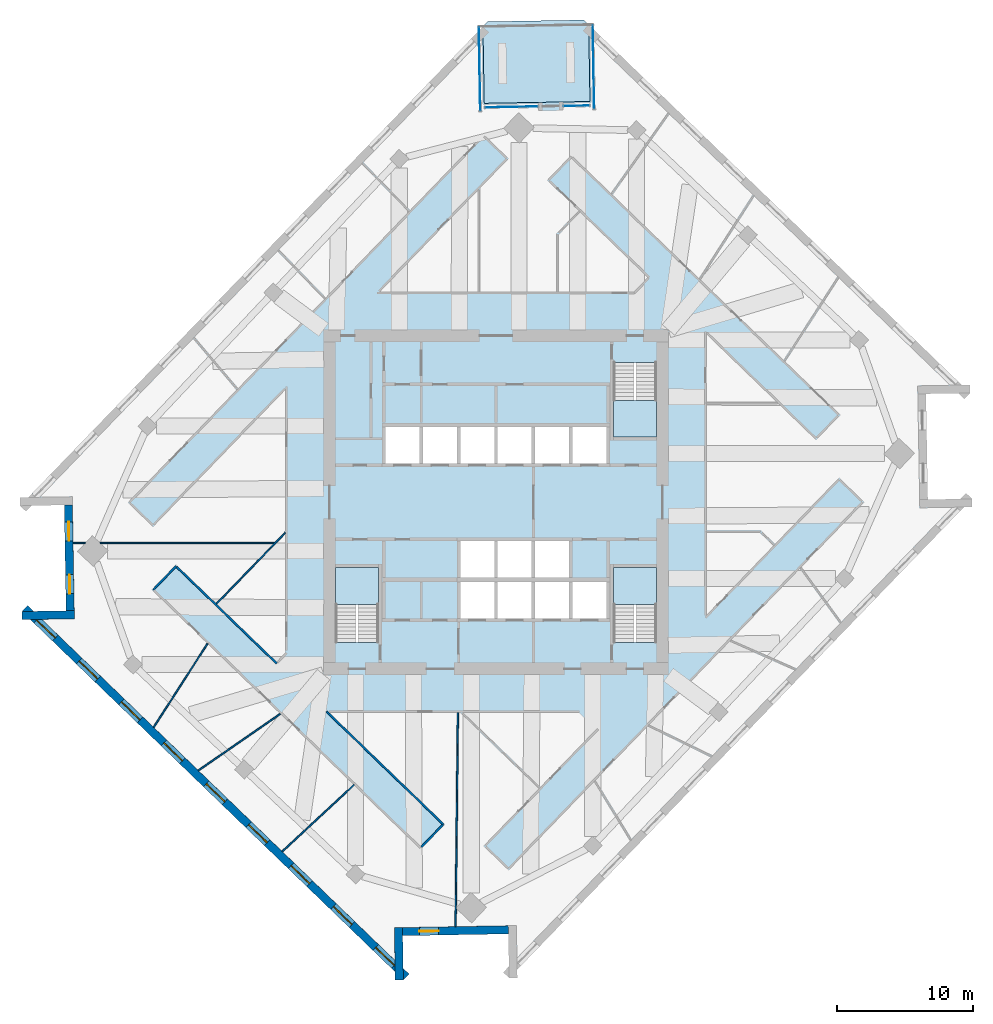
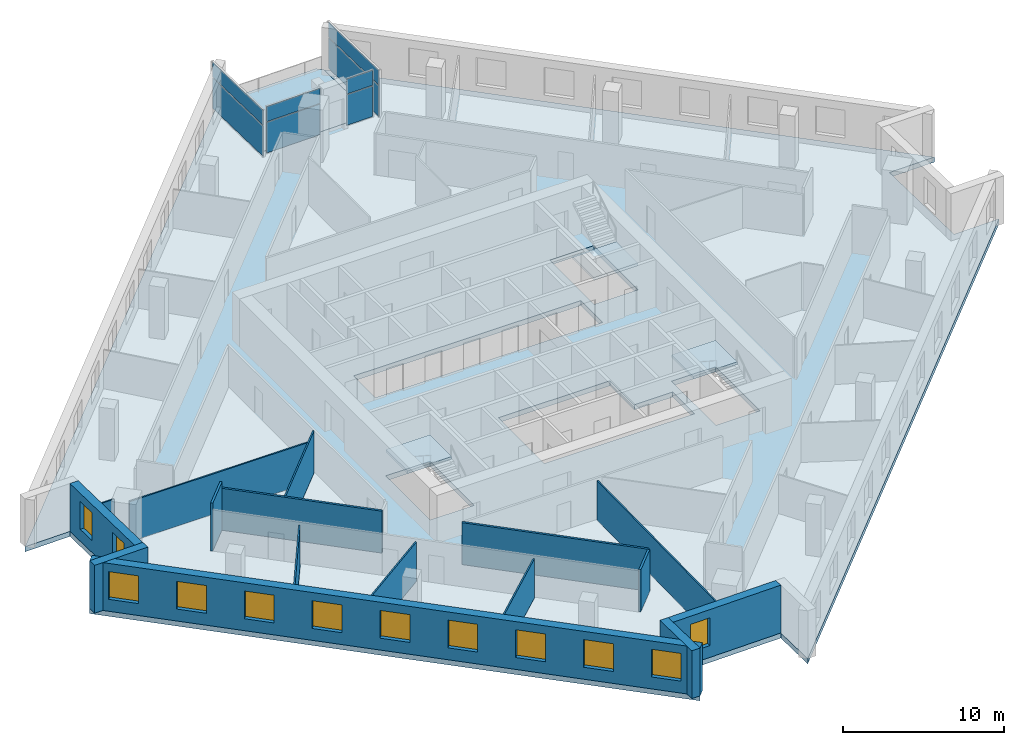
# One storey, part 5 of 13: 16 walls, 12 windows, 8 plates, 5 slabs, 12 openings, 7 elements without a shape of their own.
"""IFC4 building model written with IfcOpenShell, lengths in metres."""

from ifc_helpers import new_model, si_unit, direction, frame, frame_2d, origin, origin_2d, place, context, subcontext, project, spatial, polyline, rectangle, outline, extrude, material, layer, layer_set, type_object, element, fill, aggregate, save


model = new_model("IFC4")

# Units and contexts
model_context = context("Model", 3, precision=1e-05, world=origin(), true_north=direction((0.0, 1.0)))
body_context = subcontext(model_context, "Body", "Model", "MODEL_VIEW")
ifc_project = project(units=[si_unit("LENGTHUNIT", "METRE"), si_unit("AREAUNIT", "SQUARE_METRE"), si_unit("VOLUMEUNIT", "CUBIC_METRE"), si_unit("PLANEANGLEUNIT", "RADIAN"), si_unit("MASSUNIT", "GRAM", prefix="KILO")], contexts=[model_context])

# Site, building, storey
site_placement = place(None, origin())
site = spatial("IfcSite", under=ifc_project, at=site_placement, CompositionType="ELEMENT")
building_placement = place(site_placement, origin())
building = spatial("IfcBuilding", under=site, at=building_placement, Name="Dilmun Exchange Tower", CompositionType="ELEMENT")
storey_placement = place(building_placement, frame((0.0, 0.0, 205.300048828125)))
storey = spatial("IfcBuildingStorey", under=building, at=storey_placement, Name="L48", CompositionType="ELEMENT", Elevation=205.300048828125)

# Stair, slab
ifc_material_1 = material(Name="Concrete C40/50", Category="concrete")
stair_type = type_object("IfcStairType", Name="Exit stair 1500 half-turn", PredefinedType="HALF_TURN_STAIR", material=ifc_material_1)
stair_1_placement = place(storey_placement, origin())
stair_1 = element("IfcStair", 1, at=stair_1_placement, inside=storey, type_object=stair_type, Name="L48 Protected exit stair ST1", PredefinedType="HALF_TURN_STAIR")
ifc_layer_1 = layer(ifc_material_1, 0.199951171875)
ifc_layer_set_1 = layer_set([ifc_layer_1], Name="Concrete C40/50")
slab_type_1 = type_object("IfcSlabType", Name="Exit stair landing 200", PredefinedType="LANDING", material=ifc_layer_set_1)
slab_1_placement = place(storey_placement, frame((0.0, 0.0, 1.800048828125)))
slab_1 = element("IfcSlab", 2, at=slab_1_placement, type_object=slab_type_1, Name="ST1 landing 1", PredefinedType="LANDING", context=body_context, shape_type="SweptSolid", body=[
    extrude(outline(polyline([(8.64990234375, 7.5), (8.64990234375, 4.800048828125), (11.800048828125, 4.800048828125), (11.800048828125, 7.5), (8.64990234375, 7.5)])), origin(), (0.0, 0.0, 1.0), 0.199951171875),
])
aggregate(stair_1, [slab_1])

stair_2_placement = place(storey_placement, origin())
stair_2 = element("IfcStair", 3, at=stair_2_placement, inside=storey, type_object=stair_type, Name="L48 Protected exit stair ST2", PredefinedType="HALF_TURN_STAIR")
slab_2_placement = place(storey_placement, frame((0.0, 0.0, 1.800048828125)))
slab_2 = element("IfcSlab", 4, at=slab_2_placement, type_object=slab_type_1, Name="ST2 landing 1", PredefinedType="LANDING", context=body_context, shape_type="SweptSolid", body=[
    extrude(outline(polyline([(-8.64990234375, -7.5), (-8.64990234375, -4.800048828125), (-11.800048828125, -4.800048828125), (-11.800048828125, -7.5), (-8.64990234375, -7.5)])), origin(), (0.0, 0.0, 1.0), 0.199951171875),
])
aggregate(stair_2, [slab_2])

stair_3_placement = place(storey_placement, origin())
stair_3 = element("IfcStair", 5, at=stair_3_placement, inside=storey, type_object=stair_type, Name="L48 Protected exit stair ST3", PredefinedType="HALF_TURN_STAIR")
slab_3_placement = place(storey_placement, frame((0.0, 0.0, 1.800048828125)))
slab_3 = element("IfcSlab", 6, at=slab_3_placement, type_object=slab_type_1, Name="ST3 landing 1", PredefinedType="LANDING", context=body_context, shape_type="SweptSolid", body=[
    extrude(outline(polyline([(11.800048828125, -7.5), (11.800048828125, -4.800048828125), (8.64990234375, -4.800048828125), (8.64990234375, -7.5), (11.800048828125, -7.5)])), origin(), (0.0, 0.0, 1.0), 0.199951171875),
])
aggregate(stair_3, [slab_3])

# Curtain wall, plates
ifc_material_2 = material(Name="Anodised aluminium and clear glass", Category="aluminium")
curtain_wall_type = type_object("IfcCurtainWallType", Name="Garden corner glazing", PredefinedType="NOTDEFINED", material=ifc_material_2)
curtain_wall_1_placement = place(storey_placement, origin())
curtain_wall_1 = element("IfcCurtainWall", 7, at=curtain_wall_1_placement, inside=storey, type_object=curtain_wall_type, Name="Garden corner glazing run GC1.1", PredefinedType="NOTDEFINED")
ifc_material_3 = material(Name="Clear glass", Category="glass")
ifc_layer_2 = layer(ifc_material_3, 0.028076171875)
ifc_layer_set_2 = layer_set([ifc_layer_2], Name="Clear glass")
plate_type = type_object("IfcPlateType", Name="Garden corner glazing glass panel 28", PredefinedType="CURTAIN_PANEL", material=ifc_layer_set_2)
plate_1_placement = place(storey_placement, frame((7.1669921875, 32.008544921875, 0.059814453125), z_axis=(0.0, 0.0, 1.0), x_axis=(0.017449908501, -0.999847738755, 0.0)))
plate_1 = element("IfcPlate", 8, at=plate_1_placement, type_object=plate_type, Name="GC1.1 panel 1.1", PredefinedType="CURTAIN_PANEL", context=body_context, shape_type="SweptSolid", body=[
    extrude(rectangle(XDim=6.12646484375, YDim=0.028076171875, at=origin_2d()), origin(), (0.0, 0.0, 1.0), 2.31005859375),
])
plate_2_placement = place(storey_placement, frame((7.1669921875, 32.008544921875, 2.429931640625), z_axis=(0.0, 0.0, 1.0), x_axis=(0.017449908501, -0.999847738755, 0.0)))
plate_2 = element("IfcPlate", 9, at=plate_2_placement, type_object=plate_type, Name="GC1.1 panel 1.2", PredefinedType="CURTAIN_PANEL", context=body_context, shape_type="SweptSolid", body=[
    extrude(rectangle(XDim=6.12646484375, YDim=0.028076171875, at=origin_2d()), origin(), (0.0, 0.0, 1.0), 1.1298828125),
])
aggregate(curtain_wall_1, [plate_1, plate_2])

curtain_wall_2_placement = place(storey_placement, origin())
curtain_wall_2 = element("IfcCurtainWall", 10, at=curtain_wall_2_placement, inside=storey, type_object=curtain_wall_type, Name="Garden corner glazing run GC2.1", PredefinedType="NOTDEFINED")
plate_3_placement = place(storey_placement, frame((5.922119140625, 29.1630859375, 0.059814453125), z_axis=(0.0, 0.0, 1.0), x_axis=(-0.999847823501, -0.017445052024, 0.0)))
plate_3 = element("IfcPlate", 11, at=plate_3_placement, type_object=plate_type, Name="GC2.1 panel 1.1", PredefinedType="CURTAIN_PANEL", context=body_context, shape_type="SweptSolid", body=[
    extrude(rectangle(XDim=1.869140625, YDim=0.028076171875, at=origin_2d()), origin(), (0.0, 0.0, 1.0), 2.31005859375),
])
plate_4_placement = place(storey_placement, frame((5.922119140625, 29.1630859375, 2.429931640625), z_axis=(0.0, 0.0, 1.0), x_axis=(-0.999847823501, -0.017445052024, 0.0)))
plate_4 = element("IfcPlate", 12, at=plate_4_placement, type_object=plate_type, Name="GC2.1 panel 1.2", PredefinedType="CURTAIN_PANEL", context=body_context, shape_type="SweptSolid", body=[
    extrude(rectangle(XDim=1.869140625, YDim=0.028076171875, at=origin_2d()), origin(), (0.0, 0.0, 1.0), 1.1298828125),
])
aggregate(curtain_wall_2, [plate_3, plate_4])

curtain_wall_3_placement = place(storey_placement, origin())
curtain_wall_3 = element("IfcCurtainWall", 13, at=curtain_wall_3_placement, inside=storey, type_object=curtain_wall_type, Name="Garden corner glazing run GC2.3", PredefinedType="NOTDEFINED")
plate_5_placement = place(storey_placement, frame((1.133544921875, 29.07958984375, 0.059814453125), z_axis=(0.0, 0.0, 1.0), x_axis=(-0.999847342934, -0.017472573608, 0.0)))
plate_5 = element("IfcPlate", 14, at=plate_5_placement, type_object=plate_type, Name="GC2.3 panel 1.1", PredefinedType="CURTAIN_PANEL", context=body_context, shape_type="SweptSolid", body=[
    extrude(rectangle(XDim=3.869140625, YDim=0.028076171875, at=origin_2d()), origin(), (0.0, 0.0, 1.0), 2.31005859375),
])
plate_6_placement = place(storey_placement, frame((1.133544921875, 29.07958984375, 2.429931640625), z_axis=(0.0, 0.0, 1.0), x_axis=(-0.999847342934, -0.017472573608, 0.0)))
plate_6 = element("IfcPlate", 15, at=plate_6_placement, type_object=plate_type, Name="GC2.3 panel 1.2", PredefinedType="CURTAIN_PANEL", context=body_context, shape_type="SweptSolid", body=[
    extrude(rectangle(XDim=3.869140625, YDim=0.028076171875, at=origin_2d()), origin(), (0.0, 0.0, 1.0), 1.1298828125),
])
aggregate(curtain_wall_3, [plate_5, plate_6])

curtain_wall_4_placement = place(storey_placement, origin())
curtain_wall_4 = element("IfcCurtainWall", 16, at=curtain_wall_4_placement, inside=storey, type_object=curtain_wall_type, Name="Garden corner glazing run GC3.1", PredefinedType="NOTDEFINED")
plate_7_placement = place(storey_placement, frame((-1.209716796875, 31.8623046875, 0.059814453125), z_axis=(0.0, 0.0, 1.0), x_axis=(-0.017450187816, 0.99984773388, 0.0)))
plate_7 = element("IfcPlate", 17, at=plate_7_placement, type_object=plate_type, Name="GC3.1 panel 1.1", PredefinedType="CURTAIN_PANEL", context=body_context, shape_type="SweptSolid", body=[
    extrude(rectangle(XDim=6.12646484375, YDim=0.028076171875, at=origin_2d()), origin(), (0.0, 0.0, 1.0), 2.31005859375),
])
plate_8_placement = place(storey_placement, frame((-1.209716796875, 31.8623046875, 2.429931640625), z_axis=(0.0, 0.0, 1.0), x_axis=(-0.017450187816, 0.99984773388, 0.0)))
plate_8 = element("IfcPlate", 18, at=plate_8_placement, type_object=plate_type, Name="GC3.1 panel 1.2", PredefinedType="CURTAIN_PANEL", context=body_context, shape_type="SweptSolid", body=[
    extrude(rectangle(XDim=6.12646484375, YDim=0.028076171875, at=origin_2d()), origin(), (0.0, 0.0, 1.0), 1.1298828125),
])
aggregate(curtain_wall_4, [plate_7, plate_8])

# Slabs
ifc_layer_3 = layer(ifc_material_1, 0.3798828125)
ifc_layer_set_3 = layer_set([ifc_layer_3], Name="Concrete C40/50")
slab_type_2 = type_object("IfcSlabType", Name="RC floor slab 380", PredefinedType="FLOOR", material=ifc_layer_set_3)
slab_4_placement = place(storey_placement, frame((0.0, 0.0, -0.380126953125)))
element("IfcSlab", 19, at=slab_4_placement, inside=storey, type_object=slab_type_2, Name="Floor slab", PredefinedType="FLOOR", context=body_context, shape_type="SweptSolid", body=[
    extrude(outline(polyline([(31.620849609375, 7.977783203125), (31.756591796875, 0.20068359375), (35.002685546875, 0.25732421875), (0.96435546875, -34.990234375), (0.90771484375, -31.744384765625), (-6.869384765625, -31.880126953125), (-6.8125, -35.1259765625), (-34.866943359375, -8.034423828125), (-31.620849609375, -7.977783203125), (-31.756591796875, -0.20068359375), (-35.002685546875, -0.25732421875), (-0.96435546875, 34.990234375), (-0.86572265625, 29.3447265625), (6.9111328125, 29.48046875), (6.8125, 35.1259765625), (34.866943359375, 8.034423828125), (31.620849609375, 7.977783203125)]), holes=[polyline([(-8.64990234375, -4.800048828125), (-11.800048828125, -4.800048828125), (-11.800048828125, -10.294921875), (-8.64990234375, -10.294921875), (-8.64990234375, -4.800048828125)]), polyline([(11.800048828125, -4.800048828125), (8.64990234375, -4.800048828125), (8.64990234375, -10.294921875), (11.800048828125, -10.294921875), (11.800048828125, -4.800048828125)]), polyline([(5.375, -2.85009765625), (-2.625, -2.85009765625), (-2.625, -8.550048828125), (8.125, -8.550048828125), (8.125, -5.85009765625), (5.375, -5.85009765625), (5.375, -2.85009765625)]), polyline([(8.125, 2.85009765625), (8.125, 5.550048828125), (-8.125, 5.550048828125), (-8.125, 2.85009765625), (8.125, 2.85009765625)]), polyline([(8.64990234375, 10.294921875), (8.64990234375, 4.800048828125), (11.800048828125, 4.800048828125), (11.800048828125, 10.294921875), (8.64990234375, 10.294921875)])]), origin(), (0.0, 0.0, 1.0), 0.380126953125),
])
ifc_layer_4 = layer(ifc_material_1, 0.300048828125)
ifc_layer_set_4 = layer_set([ifc_layer_4], Name="Concrete C40/50")
slab_type_3 = type_object("IfcSlabType", Name="RC garden terrace slab 300", PredefinedType="FLOOR", material=ifc_layer_set_4)
slab_5_placement = place(storey_placement, frame((0.0, 0.0, -0.300048828125)))
element("IfcSlab", 20, at=slab_5_placement, inside=storey, type_object=slab_type_3, Name="Garden terrace slab", PredefinedType="FLOOR", context=body_context, shape_type="SweptSolid", body=[
    extrude(outline(polyline([(-0.86572265625, 29.3447265625), (-0.96435546875, 34.990234375), (-0.616943359375, 35.35009765625), (6.452880859375, 35.473388671875), (6.8125, 35.1259765625), (6.9111328125, 29.48046875), (-0.86572265625, 29.3447265625)])), origin(), (0.0, 0.0, 1.0), 0.300048828125),
])

# Walls
ifc_material_4 = material(Name="Corridor wall 150")
ifc_layer_5 = layer(ifc_material_4, 0.14990234375)
ifc_layer_set_5 = layer_set([ifc_layer_5], Name="Corridor wall 150")
wall_type_1 = type_object("IfcWallType", Name="Corridor wall 150", PredefinedType="PARTITIONING", material=ifc_layer_set_5)
wall_1_placement = place(storey_placement, frame((-25.205078125, -6.427001953125, 0.0), z_axis=(0.0, 0.0, 1.0), x_axis=(0.694688923552, 0.719310294305, 0.0)))
element("IfcWall", 21, at=wall_1_placement, inside=storey, type_object=wall_type_1, Name="Corridor wall", PredefinedType="PARTITIONING", context=body_context, shape_type="SweptSolid", body=[
    extrude(rectangle(XDim=2.399658203125, YDim=0.14990234375, at=frame_2d((1.19970703125, 0.0))), origin(), (0.0, 0.0, 1.0), 3.619873046875),
])
wall_2_placement = place(storey_placement, frame((-23.48388671875, -4.753173828125, 0.0), z_axis=(0.0, 0.0, 1.0), x_axis=(0.719330221059, -0.694668289956, 0.0)))
element("IfcWall", 22, at=wall_2_placement, inside=storey, type_object=wall_type_1, Name="Corridor wall", PredefinedType="PARTITIONING", context=body_context, shape_type="SweptSolid", body=[
    extrude(rectangle(XDim=10.21630859375, YDim=0.14990234375, at=frame_2d((5.108154296875, 0.0))), origin(), (0.0, 0.0, 1.0), 3.169921875),
])
wall_3_placement = place(storey_placement, frame((-12.458984375, -15.39990234375, 0.0), z_axis=(0.0, 0.0, 1.0), x_axis=(0.719357740032, -0.694639792883, 0.0)))
element("IfcWall", 23, at=wall_3_placement, inside=storey, type_object=wall_type_1, Name="Corridor wall", PredefinedType="PARTITIONING", context=body_context, shape_type="SweptSolid", body=[
    extrude(rectangle(XDim=11.931396484375, YDim=0.14990234375, at=frame_2d((5.9658203125, 0.0))), origin(), (0.0, 0.0, 1.0), 3.169921875),
])
wall_4_placement = place(storey_placement, frame((-5.490966796875, -25.360107421875, 0.0), z_axis=(0.0, 0.0, 1.0), x_axis=(0.694737811608, 0.719263076435, 0.0)))
element("IfcWall", 24, at=wall_4_placement, inside=storey, type_object=wall_type_1, Name="Corridor wall", PredefinedType="PARTITIONING", context=body_context, shape_type="SweptSolid", body=[
    extrude(rectangle(XDim=2.249755859375, YDim=0.14990234375, at=frame_2d((1.125, 0.0))), origin(), (0.0, 0.0, 1.0), 3.169921875),
])
ifc_material_5 = material(Name="Partition 100")
ifc_layer_6 = layer(ifc_material_5, 0.10009765625)
ifc_layer_set_6 = layer_set([ifc_layer_6], Name="Partition 100")
wall_type_2 = type_object("IfcWallType", Name="Partition 100", PredefinedType="PARTITIONING", material=ifc_layer_set_6)
wall_5_placement = place(storey_placement, frame((-31.105712890625, -2.9951171875, 0.0), z_axis=(0.0, 0.0, 1.0), x_axis=(1.0, 0.0, 0.0)))
element("IfcWall", 25, at=wall_5_placement, inside=storey, type_object=wall_type_2, Name="Partition", PredefinedType="PARTITIONING", context=body_context, shape_type="SweptSolid", body=[
    extrude(rectangle(XDim=0.900634765625, YDim=0.10009765625, at=frame_2d((0.4501953125, 0.0))), origin(), (0.0, 0.0, 1.0), 3.619873046875),
])
wall_6_placement = place(storey_placement, frame((-29.115478515625, -2.9951171875, 0.0), z_axis=(0.0, 0.0, 1.0), x_axis=(1.0, 0.0, 0.0)))
element("IfcWall", 26, at=wall_6_placement, inside=storey, type_object=wall_type_2, Name="Partition", PredefinedType="PARTITIONING", context=body_context, shape_type="SweptSolid", body=[
    extrude(rectangle(XDim=12.76171875, YDim=0.10009765625, at=frame_2d((6.380859375, 0.0))), origin(), (0.0, 0.0, 1.0), 3.050048828125),
])
wall_7_placement = place(storey_placement, frame((-25.181884765625, -16.55029296875, 0.0), z_axis=(0.0, 0.0, 1.0), x_axis=(0.541323767844, 0.84081423535, 0.0)))
element("IfcWall", 27, at=wall_7_placement, inside=storey, type_object=wall_type_2, Name="Partition", PredefinedType="PARTITIONING", context=body_context, shape_type="SweptSolid", body=[
    extrude(rectangle(XDim=7.3212890625, YDim=0.10009765625, at=frame_2d((3.66064453125, 0.0))), origin(), (0.0, 0.0, 1.0), 2.969970703125),
])
wall_8_placement = place(storey_placement, frame((-21.894287109375, -19.724853515625, 0.0), z_axis=(0.0, 0.0, 1.0), x_axis=(0.822893560883, 0.568195553887, 0.0)))
element("IfcWall", 28, at=wall_8_placement, inside=storey, type_object=wall_type_2, Name="Partition", PredefinedType="PARTITIONING", context=body_context, shape_type="SweptSolid", body=[
    extrude(rectangle(XDim=7.32421875, YDim=0.10009765625, at=frame_2d((3.662109375, 0.0))), origin(), (0.0, 0.0, 1.0), 2.969970703125),
])
wall_9_placement = place(storey_placement, frame((-20.559814453125, -7.47216796875, 0.0), z_axis=(0.0, 0.0, 1.0), x_axis=(0.694721601458, 0.719278733502, 0.0)))
element("IfcWall", 29, at=wall_9_placement, inside=storey, type_object=wall_type_2, Name="Partition", PredefinedType="PARTITIONING", context=body_context, shape_type="SweptSolid", body=[
    extrude(rectangle(XDim=7.267333984375, YDim=0.10009765625, at=frame_2d((3.6337890625, 0.0))), origin(), (0.0, 0.0, 1.0), 3.169921875),
])
wall_10_placement = place(storey_placement, frame((-15.722412109375, -25.68505859375, 0.0), z_axis=(0.0, 0.0, 1.0), x_axis=(0.732967408974, 0.680263755747, 0.0)))
element("IfcWall", 30, at=wall_10_placement, inside=storey, type_object=wall_type_2, Name="Partition", PredefinedType="PARTITIONING", context=body_context, shape_type="SweptSolid", body=[
    extrude(rectangle(XDim=7.19873046875, YDim=0.10009765625, at=frame_2d((3.599365234375, 0.0))), origin(), (0.0, 0.0, 1.0), 2.969970703125),
])
wall_11_placement = place(storey_placement, frame((-2.974609375, -31.2099609375, 0.0), z_axis=(0.0, 0.0, 1.0), x_axis=(0.010798774474, 0.999941691535, 0.0)))
element("IfcWall", 31, at=wall_11_placement, inside=storey, type_object=wall_type_2, Name="Partition", PredefinedType="PARTITIONING", context=body_context, shape_type="SweptSolid", body=[
    extrude(rectangle(XDim=15.7353515625, YDim=0.10009765625, at=frame_2d((7.86767578125, 0.0))), origin(), (0.0, 0.0, 1.0), 2.969970703125),
])

# Wall, openings, windows
ifc_material_6 = material(Name="Precast concrete C50/60", Category="concrete")
ifc_layer_7 = layer(ifc_material_6, 0.60009765625)
ifc_layer_set_7 = layer_set([ifc_layer_7], Name="Precast concrete C50/60")
wall_type_3 = type_object("IfcWallType", Name="Precast stone-clad wall 600", PredefinedType="STANDARD", material=ifc_layer_set_7)
wall_12_placement = place(storey_placement, frame((-31.456787109375, -0.195556640625, 0.0), z_axis=(0.0, 0.0, 1.0), x_axis=(0.017451978485, -0.999847702626, 0.0)))
wall_12 = element("IfcWall", 32, at=wall_12_placement, inside=storey, type_object=wall_type_3, Name="Facade wall L48-05", PredefinedType="STANDARD", context=body_context, shape_type="SweptSolid", body=[
    extrude(rectangle(XDim=7.778076171875, YDim=0.60009765625, at=frame_2d((3.88916015625, 0.0))), origin(), (0.0, 0.0, 1.0), 3.619873046875),
])
opening_1_placement = place(wall_12_placement, frame((1.244384765625, 0.0, 0.89990234375)))
opening_1 = element("IfcOpeningElement", 33, at=opening_1_placement, cuts=wall_12, Name="Opening W140-210", PredefinedType="OPENING", context=body_context, shape_type="SweptSolid", body=[
    extrude(rectangle(XDim=1.39990234375, YDim=2.10009765625, at=frame_2d((0.699951171875, 1.050048828125))), frame((0.0, 0.31005859375, 0.0), z_axis=(0.0, -1.0, 0.0), x_axis=(1.0, 0.0, 0.0)), (0.0, 0.0, 1.0), 0.6201171875),
])
opening_2_placement = place(wall_12_placement, frame((5.133544921875, 0.0, 0.89990234375)))
opening_2 = element("IfcOpeningElement", 34, at=opening_2_placement, cuts=wall_12, Name="Opening W140-210", PredefinedType="OPENING", context=body_context, shape_type="SweptSolid", body=[
    extrude(rectangle(XDim=1.39990234375, YDim=2.10009765625, at=frame_2d((0.699951171875, 1.050048828125))), frame((0.0, 0.31005859375, 0.0), z_axis=(0.0, -1.0, 0.0), x_axis=(1.0, 0.0, 0.0)), (0.0, 0.0, 1.0), 0.6201171875),
])
ifc_material_7 = material(Name="Clear low-emissivity glass in aluminium frame", Category="aluminium")
window_type_1 = type_object("IfcWindowType", Name="Punched window 1400 x 2100", PartitioningType="DOUBLE_PANEL_VERTICAL", PredefinedType="WINDOW", material=ifc_material_7)
window_1_placement = place(opening_1_placement, origin())
window_1 = element("IfcWindow", 35, at=window_1_placement, inside=storey, type_object=window_type_1, Name="Window 6.1", OverallHeight=2.10009765625, OverallWidth=1.39990234375, PartitioningType="SINGLE_PANEL", PredefinedType="WINDOW", context=body_context, shape_type="SweptSolid", body=[
    extrude(rectangle(XDim=1.39990234375, YDim=2.10009765625, at=frame_2d((0.699951171875, 1.050048828125))), frame((0.0, 0.030029296875, 0.0), z_axis=(0.0, -1.0, 0.0), x_axis=(1.0, 0.0, 0.0)), (0.0, 0.0, 1.0), 0.06005859375),
])
fill(opening_1, window_1)
window_2_placement = place(opening_2_placement, origin())
window_2 = element("IfcWindow", 36, at=window_2_placement, inside=storey, type_object=window_type_1, Name="Window 6.2", OverallHeight=2.10009765625, OverallWidth=1.39990234375, PartitioningType="SINGLE_PANEL", PredefinedType="WINDOW", context=body_context, shape_type="SweptSolid", body=[
    extrude(rectangle(XDim=1.39990234375, YDim=2.10009765625, at=frame_2d((0.699951171875, 1.050048828125))), frame((0.0, 0.030029296875, 0.0), z_axis=(0.0, -1.0, 0.0), x_axis=(1.0, 0.0, 0.0)), (0.0, 0.0, 1.0), 0.06005859375),
])
fill(opening_2, window_2)

# Wall
wall_13_placement = place(storey_placement, frame((-31.015869140625, -8.26708984375, 0.0), z_axis=(0.0, 0.0, 1.0), x_axis=(-0.999847642189, -0.017455440681, 0.0)))
element("IfcWall", 37, at=wall_13_placement, inside=storey, type_object=wall_type_3, Name="Facade wall L48-06", PredefinedType="STANDARD", context=body_context, shape_type="SweptSolid", body=[
    extrude(rectangle(XDim=3.84619140625, YDim=0.60009765625, at=frame_2d((1.923095703125, 0.0))), origin(), (0.0, 0.0, 1.0), 3.619873046875),
])

# Wall, openings, windows
wall_14_placement = place(storey_placement, frame((-34.658447265625, -7.818603515625, 0.0), z_axis=(0.0, 0.0, 1.0), x_axis=(0.719340729741, -0.694657408034, 0.0)))
wall_14 = element("IfcWall", 38, at=wall_14_placement, inside=storey, type_object=wall_type_3, Name="Facade wall L48-07", PredefinedType="STANDARD", context=body_context, shape_type="SweptSolid", body=[
    extrude(rectangle(XDim=38.999755859375, YDim=0.60009765625, at=frame_2d((19.5, 0.0))), origin(), (0.0, 0.0, 1.0), 3.619873046875),
])
opening_3_placement = place(wall_14_placement, frame((1.216796875, 0.0, 0.89990234375)))
opening_3 = element("IfcOpeningElement", 39, at=opening_3_placement, cuts=wall_14, Name="Opening W190-210", PredefinedType="OPENING", context=body_context, shape_type="SweptSolid", body=[
    extrude(rectangle(XDim=1.89990234375, YDim=2.10009765625, at=frame_2d((0.949951171875, 1.050048828125))), frame((0.0, 0.31005859375, 0.0), z_axis=(0.0, -1.0, 0.0), x_axis=(1.0, 0.0, 0.0)), (0.0, 0.0, 1.0), 0.6201171875),
])
opening_4_placement = place(wall_14_placement, frame((5.550048828125, 0.0, 0.89990234375)))
opening_4 = element("IfcOpeningElement", 40, at=opening_4_placement, cuts=wall_14, Name="Opening W190-210", PredefinedType="OPENING", context=body_context, shape_type="SweptSolid", body=[
    extrude(rectangle(XDim=1.89990234375, YDim=2.10009765625, at=frame_2d((0.949951171875, 1.050048828125))), frame((0.0, 0.31005859375, 0.0), z_axis=(0.0, -1.0, 0.0), x_axis=(1.0, 0.0, 0.0)), (0.0, 0.0, 1.0), 0.6201171875),
])
opening_5_placement = place(wall_14_placement, frame((9.88330078125, 0.0, 0.89990234375)))
opening_5 = element("IfcOpeningElement", 41, at=opening_5_placement, cuts=wall_14, Name="Opening W190-210", PredefinedType="OPENING", context=body_context, shape_type="SweptSolid", body=[
    extrude(rectangle(XDim=1.89990234375, YDim=2.10009765625, at=frame_2d((0.949951171875, 1.050048828125))), frame((0.0, 0.31005859375, 0.0), z_axis=(0.0, -1.0, 0.0), x_axis=(1.0, 0.0, 0.0)), (0.0, 0.0, 1.0), 0.6201171875),
])
opening_6_placement = place(wall_14_placement, frame((14.216796875, 0.0, 0.89990234375)))
opening_6 = element("IfcOpeningElement", 42, at=opening_6_placement, cuts=wall_14, Name="Opening W190-210", PredefinedType="OPENING", context=body_context, shape_type="SweptSolid", body=[
    extrude(rectangle(XDim=1.89990234375, YDim=2.10009765625, at=frame_2d((0.949951171875, 1.050048828125))), frame((0.0, 0.31005859375, 0.0), z_axis=(0.0, -1.0, 0.0), x_axis=(1.0, 0.0, 0.0)), (0.0, 0.0, 1.0), 0.6201171875),
])
opening_7_placement = place(wall_14_placement, frame((18.550048828125, 0.0, 0.89990234375)))
opening_7 = element("IfcOpeningElement", 43, at=opening_7_placement, cuts=wall_14, Name="Opening W190-210", PredefinedType="OPENING", context=body_context, shape_type="SweptSolid", body=[
    extrude(rectangle(XDim=1.89990234375, YDim=2.10009765625, at=frame_2d((0.949951171875, 1.050048828125))), frame((0.0, 0.31005859375, 0.0), z_axis=(0.0, -1.0, 0.0), x_axis=(1.0, 0.0, 0.0)), (0.0, 0.0, 1.0), 0.6201171875),
])
opening_8_placement = place(wall_14_placement, frame((22.88330078125, 0.0, 0.89990234375)))
opening_8 = element("IfcOpeningElement", 44, at=opening_8_placement, cuts=wall_14, Name="Opening W190-210", PredefinedType="OPENING", context=body_context, shape_type="SweptSolid", body=[
    extrude(rectangle(XDim=1.89990234375, YDim=2.10009765625, at=frame_2d((0.949951171875, 1.050048828125))), frame((0.0, 0.31005859375, 0.0), z_axis=(0.0, -1.0, 0.0), x_axis=(1.0, 0.0, 0.0)), (0.0, 0.0, 1.0), 0.6201171875),
])
opening_9_placement = place(wall_14_placement, frame((27.216796875, 0.0, 0.89990234375)))
opening_9 = element("IfcOpeningElement", 45, at=opening_9_placement, cuts=wall_14, Name="Opening W190-210", PredefinedType="OPENING", context=body_context, shape_type="SweptSolid", body=[
    extrude(rectangle(XDim=1.89990234375, YDim=2.10009765625, at=frame_2d((0.949951171875, 1.050048828125))), frame((0.0, 0.31005859375, 0.0), z_axis=(0.0, -1.0, 0.0), x_axis=(1.0, 0.0, 0.0)), (0.0, 0.0, 1.0), 0.6201171875),
])
opening_10_placement = place(wall_14_placement, frame((31.550048828125, 0.0, 0.89990234375)))
opening_10 = element("IfcOpeningElement", 46, at=opening_10_placement, cuts=wall_14, Name="Opening W190-210", PredefinedType="OPENING", context=body_context, shape_type="SweptSolid", body=[
    extrude(rectangle(XDim=1.89990234375, YDim=2.10009765625, at=frame_2d((0.949951171875, 1.050048828125))), frame((0.0, 0.31005859375, 0.0), z_axis=(0.0, -1.0, 0.0), x_axis=(1.0, 0.0, 0.0)), (0.0, 0.0, 1.0), 0.6201171875),
])
opening_11_placement = place(wall_14_placement, frame((35.88330078125, 0.0, 0.89990234375)))
opening_11 = element("IfcOpeningElement", 47, at=opening_11_placement, cuts=wall_14, Name="Opening W190-210", PredefinedType="OPENING", context=body_context, shape_type="SweptSolid", body=[
    extrude(rectangle(XDim=1.89990234375, YDim=2.10009765625, at=frame_2d((0.949951171875, 1.050048828125))), frame((0.0, 0.31005859375, 0.0), z_axis=(0.0, -1.0, 0.0), x_axis=(1.0, 0.0, 0.0)), (0.0, 0.0, 1.0), 0.6201171875),
])
window_type_2 = type_object("IfcWindowType", Name="Punched window 1900 x 2100", PartitioningType="DOUBLE_PANEL_VERTICAL", PredefinedType="WINDOW", material=ifc_material_7)
window_3_placement = place(opening_3_placement, origin())
window_3 = element("IfcWindow", 48, at=window_3_placement, inside=storey, type_object=window_type_2, Name="Window 8.1", OverallHeight=2.10009765625, OverallWidth=1.89990234375, PartitioningType="SINGLE_PANEL", PredefinedType="WINDOW", context=body_context, shape_type="SweptSolid", body=[
    extrude(rectangle(XDim=1.89990234375, YDim=2.10009765625, at=frame_2d((0.949951171875, 1.050048828125))), frame((0.0, 0.030029296875, 0.0), z_axis=(0.0, -1.0, 0.0), x_axis=(1.0, 0.0, 0.0)), (0.0, 0.0, 1.0), 0.06005859375),
])
fill(opening_3, window_3)
window_4_placement = place(opening_4_placement, origin())
window_4 = element("IfcWindow", 49, at=window_4_placement, inside=storey, type_object=window_type_2, Name="Window 8.2", OverallHeight=2.10009765625, OverallWidth=1.89990234375, PartitioningType="SINGLE_PANEL", PredefinedType="WINDOW", context=body_context, shape_type="SweptSolid", body=[
    extrude(rectangle(XDim=1.89990234375, YDim=2.10009765625, at=frame_2d((0.949951171875, 1.050048828125))), frame((0.0, 0.030029296875, 0.0), z_axis=(0.0, -1.0, 0.0), x_axis=(1.0, 0.0, 0.0)), (0.0, 0.0, 1.0), 0.06005859375),
])
fill(opening_4, window_4)
window_5_placement = place(opening_5_placement, origin())
window_5 = element("IfcWindow", 50, at=window_5_placement, inside=storey, type_object=window_type_2, Name="Window 8.3", OverallHeight=2.10009765625, OverallWidth=1.89990234375, PartitioningType="SINGLE_PANEL", PredefinedType="WINDOW", context=body_context, shape_type="SweptSolid", body=[
    extrude(rectangle(XDim=1.89990234375, YDim=2.10009765625, at=frame_2d((0.949951171875, 1.050048828125))), frame((0.0, 0.030029296875, 0.0), z_axis=(0.0, -1.0, 0.0), x_axis=(1.0, 0.0, 0.0)), (0.0, 0.0, 1.0), 0.06005859375),
])
fill(opening_5, window_5)
window_6_placement = place(opening_6_placement, origin())
window_6 = element("IfcWindow", 51, at=window_6_placement, inside=storey, type_object=window_type_2, Name="Window 8.4", OverallHeight=2.10009765625, OverallWidth=1.89990234375, PartitioningType="SINGLE_PANEL", PredefinedType="WINDOW", context=body_context, shape_type="SweptSolid", body=[
    extrude(rectangle(XDim=1.89990234375, YDim=2.10009765625, at=frame_2d((0.949951171875, 1.050048828125))), frame((0.0, 0.030029296875, 0.0), z_axis=(0.0, -1.0, 0.0), x_axis=(1.0, 0.0, 0.0)), (0.0, 0.0, 1.0), 0.06005859375),
])
fill(opening_6, window_6)
window_7_placement = place(opening_7_placement, origin())
window_7 = element("IfcWindow", 52, at=window_7_placement, inside=storey, type_object=window_type_2, Name="Window 8.5", OverallHeight=2.10009765625, OverallWidth=1.89990234375, PartitioningType="SINGLE_PANEL", PredefinedType="WINDOW", context=body_context, shape_type="SweptSolid", body=[
    extrude(rectangle(XDim=1.89990234375, YDim=2.10009765625, at=frame_2d((0.949951171875, 1.050048828125))), frame((0.0, 0.030029296875, 0.0), z_axis=(0.0, -1.0, 0.0), x_axis=(1.0, 0.0, 0.0)), (0.0, 0.0, 1.0), 0.06005859375),
])
fill(opening_7, window_7)
window_8_placement = place(opening_8_placement, origin())
window_8 = element("IfcWindow", 53, at=window_8_placement, inside=storey, type_object=window_type_2, Name="Window 8.6", OverallHeight=2.10009765625, OverallWidth=1.89990234375, PartitioningType="SINGLE_PANEL", PredefinedType="WINDOW", context=body_context, shape_type="SweptSolid", body=[
    extrude(rectangle(XDim=1.89990234375, YDim=2.10009765625, at=frame_2d((0.949951171875, 1.050048828125))), frame((0.0, 0.030029296875, 0.0), z_axis=(0.0, -1.0, 0.0), x_axis=(1.0, 0.0, 0.0)), (0.0, 0.0, 1.0), 0.06005859375),
])
fill(opening_8, window_8)
window_9_placement = place(opening_9_placement, origin())
window_9 = element("IfcWindow", 54, at=window_9_placement, inside=storey, type_object=window_type_2, Name="Window 8.7", OverallHeight=2.10009765625, OverallWidth=1.89990234375, PartitioningType="SINGLE_PANEL", PredefinedType="WINDOW", context=body_context, shape_type="SweptSolid", body=[
    extrude(rectangle(XDim=1.89990234375, YDim=2.10009765625, at=frame_2d((0.949951171875, 1.050048828125))), frame((0.0, 0.030029296875, 0.0), z_axis=(0.0, -1.0, 0.0), x_axis=(1.0, 0.0, 0.0)), (0.0, 0.0, 1.0), 0.06005859375),
])
fill(opening_9, window_9)
window_10_placement = place(opening_10_placement, origin())
window_10 = element("IfcWindow", 55, at=window_10_placement, inside=storey, type_object=window_type_2, Name="Window 8.8", OverallHeight=2.10009765625, OverallWidth=1.89990234375, PartitioningType="SINGLE_PANEL", PredefinedType="WINDOW", context=body_context, shape_type="SweptSolid", body=[
    extrude(rectangle(XDim=1.89990234375, YDim=2.10009765625, at=frame_2d((0.949951171875, 1.050048828125))), frame((0.0, 0.030029296875, 0.0), z_axis=(0.0, -1.0, 0.0), x_axis=(1.0, 0.0, 0.0)), (0.0, 0.0, 1.0), 0.06005859375),
])
fill(opening_10, window_10)
window_11_placement = place(opening_11_placement, origin())
window_11 = element("IfcWindow", 56, at=window_11_placement, inside=storey, type_object=window_type_2, Name="Window 8.9", OverallHeight=2.10009765625, OverallWidth=1.89990234375, PartitioningType="SINGLE_PANEL", PredefinedType="WINDOW", context=body_context, shape_type="SweptSolid", body=[
    extrude(rectangle(XDim=1.89990234375, YDim=2.10009765625, at=frame_2d((0.949951171875, 1.050048828125))), frame((0.0, 0.030029296875, 0.0), z_axis=(0.0, -1.0, 0.0), x_axis=(1.0, 0.0, 0.0)), (0.0, 0.0, 1.0), 0.06005859375),
])
fill(opening_11, window_11)

# Wall
wall_15_placement = place(storey_placement, frame((-7.112548828125, -35.13134765625, 0.0), z_axis=(0.0, 0.0, 1.0), x_axis=(-0.017454332947, 0.999847661527, 0.0)))
element("IfcWall", 57, at=wall_15_placement, inside=storey, type_object=wall_type_3, Name="Facade wall L48-08", PredefinedType="STANDARD", context=body_context, shape_type="SweptSolid", body=[
    extrude(rectangle(XDim=3.846435546875, YDim=0.60009765625, at=frame_2d((1.92333984375, 0.0))), origin(), (0.0, 0.0, 1.0), 3.619873046875),
])

# Wall, opening, window
wall_16_placement = place(storey_placement, frame((-6.87451171875, -31.580078125, 0.0), z_axis=(0.0, 0.0, 1.0), x_axis=(0.999847712186, 0.017451430795, 0.0)))
wall_16 = element("IfcWall", 58, at=wall_16_placement, inside=storey, type_object=wall_type_3, Name="Facade wall L48-09", PredefinedType="STANDARD", context=body_context, shape_type="SweptSolid", body=[
    extrude(rectangle(XDim=7.7783203125, YDim=0.60009765625, at=frame_2d((3.88916015625, 0.0))), origin(), (0.0, 0.0, 1.0), 3.619873046875),
])
opening_12_placement = place(wall_16_placement, frame((1.244384765625, 0.0, 0.89990234375)))
opening_12 = element("IfcOpeningElement", 59, at=opening_12_placement, cuts=wall_16, Name="Opening W140-210", PredefinedType="OPENING", context=body_context, shape_type="SweptSolid", body=[
    extrude(rectangle(XDim=1.39990234375, YDim=2.10009765625, at=frame_2d((0.699951171875, 1.050048828125))), frame((0.0, 0.31005859375, 0.0), z_axis=(0.0, -1.0, 0.0), x_axis=(1.0, 0.0, 0.0)), (0.0, 0.0, 1.0), 0.6201171875),
])
window_12_placement = place(opening_12_placement, origin())
window_12 = element("IfcWindow", 60, at=window_12_placement, inside=storey, type_object=window_type_1, Name="Window 10.1", OverallHeight=2.10009765625, OverallWidth=1.39990234375, PartitioningType="SINGLE_PANEL", PredefinedType="WINDOW", context=body_context, shape_type="SweptSolid", body=[
    extrude(rectangle(XDim=1.39990234375, YDim=2.10009765625, at=frame_2d((0.699951171875, 1.050048828125))), frame((0.0, 0.030029296875, 0.0), z_axis=(0.0, -1.0, 0.0), x_axis=(1.0, 0.0, 0.0)), (0.0, 0.0, 1.0), 0.06005859375),
])
fill(opening_12, window_12)

save(model, "model.ifc")
